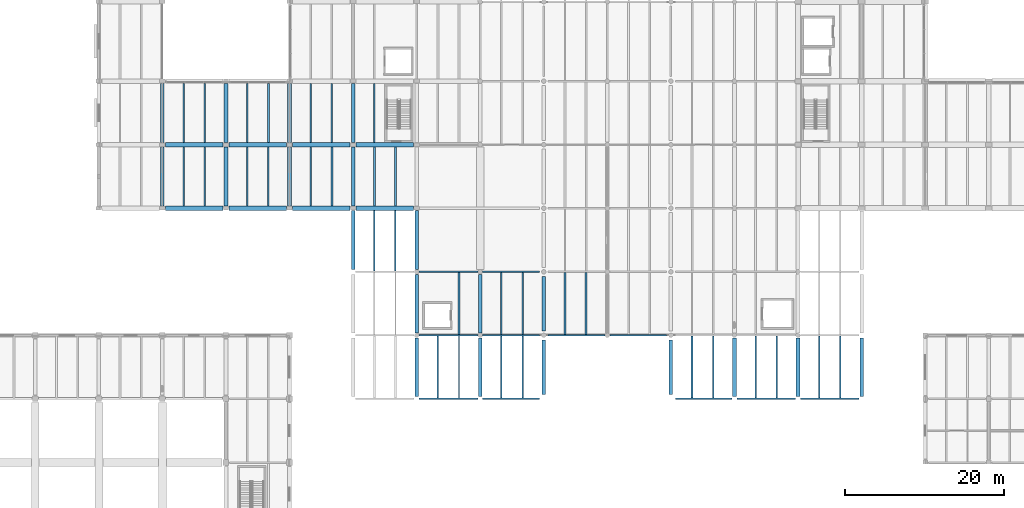
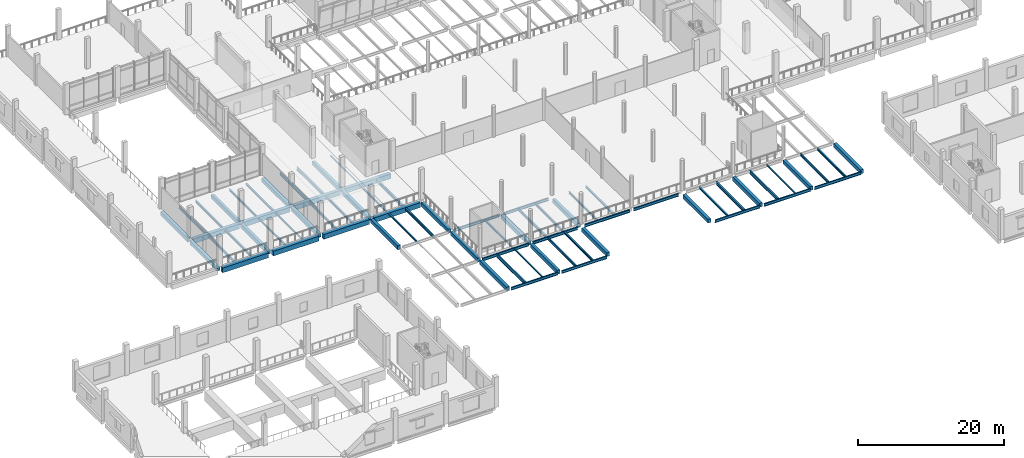
# One storey, part 5 of 61: 71 beams.
"""IFC4 building model written with IfcOpenShell, lengths in metres."""

from ifc_helpers import new_model, si_unit, direction, frame, origin, origin_2d, place, context, subcontext, project, spatial, rectangle, i_section, extrude, material, material_profile, profile_set, type_object, element, save


model = new_model("IFC4")

# Units and contexts
model_context = context("Model", 3, precision=1e-05, world=origin(), true_north=direction((0.0, 1.0)))
body_context = subcontext(model_context, "Body", "Model", "MODEL_VIEW")
ifc_project = project(units=[si_unit("LENGTHUNIT", "METRE"), si_unit("AREAUNIT", "SQUARE_METRE"), si_unit("VOLUMEUNIT", "CUBIC_METRE"), si_unit("PLANEANGLEUNIT", "RADIAN"), si_unit("MASSUNIT", "GRAM", prefix="KILO")], contexts=[model_context])

# Site, building, storey
site_placement = place(None, origin())
site = spatial("IfcSite", under=ifc_project, at=site_placement, CompositionType="ELEMENT")
building_placement = place(site_placement, origin())
building = spatial("IfcBuilding", under=site, at=building_placement, Name="Pecanmere Concourse Central Library", CompositionType="ELEMENT")
storey_placement = place(building_placement, frame((0.0, 0.0, 5.39990234375)))
storey = spatial("IfcBuildingStorey", under=building, at=storey_placement, Name="L02", CompositionType="ELEMENT", Elevation=5.39990234375)

# Beams
ifc_material_1 = material(Name="Concrete C40/50", Category="concrete")
ifc_material_profile_1 = material_profile(ifc_material_1, rectangle(XDim=0.4599609375, YDim=0.64990234375, at=origin_2d()), Name="RC 460x650")
ifc_profile_set_1 = profile_set([ifc_material_profile_1], Name="Concrete C40/50")
beam_type_1 = type_object("IfcBeamType", Name="GRD_460x650", PredefinedType="USERDEFINED", material=ifc_profile_set_1)
for number, where, z_axis, x_axis, name in (
    (1, (32.0, 48.27001953125, -0.69482421875), (0.0, 1.0, 0.0), (-1.0, 0.0, 0.0), "Primary Girder Y L02-0985"),
    (2, (32.0, 56.27001953125, -0.69482421875), (0.0, 1.0, 0.0), (-1.0, 0.0, 0.0), "Primary Girder Y L02-0986"),
    (3, (40.0, 48.27001953125, -0.69482421875), (0.0, 1.0, 0.0), (-1.0, 0.0, 0.0), "Primary Girder Y L02-0996"),
    (4, (40.0, 56.27001953125, -0.69482421875), (0.0, 1.0, 0.0), (-1.0, 0.0, 0.0), "Primary Girder Y L02-0997"),
    (5, (48.0, 48.27001953125, -0.69482421875), (0.0, 1.0, 0.0), (-1.0, 0.0, 0.0), "Primary Girder Y L02-1004"),
    (6, (48.0, 56.27001953125, -0.69482421875), (0.0, 1.0, 0.0), (-1.0, 0.0, 0.0), "Primary Girder Y L02-1005"),
):
    element("IfcBeam", number, at=place(storey_placement, frame(where, z_axis=z_axis, x_axis=x_axis)), inside=storey, type_object=beam_type_1, Name=name, ObjectType="GIRDER", PredefinedType="USERDEFINED", context=body_context, shape_type="SweptSolid", body=[
        extrude(rectangle(XDim=0.4599609375, YDim=0.64990234375, at=origin_2d()), origin(), (0.0, 0.0, 1.0), 7.4599609375),
    ])
beam_1_placement = place(storey_placement, frame((56.0, 40.31005859375, -0.69482421875), z_axis=(0.0, 1.0, 0.0), x_axis=(-1.0, 0.0, 0.0)))
element("IfcBeam", 7, at=beam_1_placement, inside=storey, type_object=beam_type_1, Name="Primary Girder Y L02-1013", ObjectType="GIRDER", PredefinedType="USERDEFINED", context=body_context, shape_type="SweptSolid", body=[
    extrude(rectangle(XDim=0.4599609375, YDim=0.64990234375, at=origin_2d()), origin(), (0.0, 0.0, 1.0), 7.419921875),
])
for number, where, z_axis, x_axis, name in (
    (8, (56.0, 48.27001953125, -0.69482421875), (0.0, 1.0, 0.0), (-1.0, 0.0, 0.0), "Primary Girder Y L02-1014"),
    (9, (56.0, 56.27001953125, -0.69482421875), (0.0, 1.0, 0.0), (-1.0, 0.0, 0.0), "Primary Girder Y L02-1015"),
):
    element("IfcBeam", number, at=place(storey_placement, frame(where, z_axis=z_axis, x_axis=x_axis)), inside=storey, type_object=beam_type_1, Name=name, ObjectType="GIRDER", PredefinedType="USERDEFINED", context=body_context, shape_type="SweptSolid", body=[
        extrude(rectangle(XDim=0.4599609375, YDim=0.64990234375, at=origin_2d()), origin(), (0.0, 0.0, 1.0), 7.4599609375),
    ])
for number, where, z_axis, x_axis, name in (
    (10, (64.0, 24.31005859375, -0.69482421875), (0.0, 1.0, 0.0), (-1.0, 0.0, 0.0), "Primary Girder Y L02-1021"),
    (11, (64.0, 32.31005859375, -0.69482421875), (0.0, 1.0, 0.0), (-1.0, 0.0, 0.0), "Primary Girder Y L02-1022"),
):
    element("IfcBeam", number, at=place(storey_placement, frame(where, z_axis=z_axis, x_axis=x_axis)), inside=storey, type_object=beam_type_1, Name=name, ObjectType="GIRDER", PredefinedType="USERDEFINED", context=body_context, shape_type="SweptSolid", body=[
        extrude(rectangle(XDim=0.4599609375, YDim=0.64990234375, at=origin_2d()), origin(), (0.0, 0.0, 1.0), 7.3798828125),
    ])
beam_2_placement = place(storey_placement, frame((64.0, 40.31005859375, -0.69482421875), z_axis=(0.0, 1.0, 0.0), x_axis=(-1.0, 0.0, 0.0)))
element("IfcBeam", 12, at=beam_2_placement, inside=storey, type_object=beam_type_1, Name="Primary Girder Y L02-1023", ObjectType="GIRDER", PredefinedType="USERDEFINED", context=body_context, shape_type="SweptSolid", body=[
    extrude(rectangle(XDim=0.4599609375, YDim=0.64990234375, at=origin_2d()), origin(), (0.0, 0.0, 1.0), 7.419921875),
])
for number, where, z_axis, x_axis, name in (
    (13, (72.0, 24.31005859375, -0.69482421875), (0.0, 1.0, 0.0), (-1.0, 0.0, 0.0), "Primary Girder Y L02-1031"),
    (14, (72.0, 32.31005859375, -0.69482421875), (0.0, 1.0, 0.0), (-1.0, 0.0, 0.0), "Primary Girder Y L02-1032"),
):
    element("IfcBeam", number, at=place(storey_placement, frame(where, z_axis=z_axis, x_axis=x_axis)), inside=storey, type_object=beam_type_1, Name=name, ObjectType="GIRDER", PredefinedType="USERDEFINED", context=body_context, shape_type="SweptSolid", body=[
        extrude(rectangle(XDim=0.4599609375, YDim=0.64990234375, at=origin_2d()), origin(), (0.0, 0.0, 1.0), 7.3798828125),
    ])
for number, where, z_axis, x_axis, name in (
    (15, (80.0, 24.56005859375, -0.69482421875), (0.0, 1.0, 0.0), (-1.0, 0.0, 0.0), "Primary Girder Y L02-1042"),
    (16, (80.0, 32.56005859375, -0.69482421875), (0.0, 1.0, 0.0), (-1.0, 0.0, 0.0), "Primary Girder Y L02-1043"),
    (17, (96.0, 24.56005859375, -0.69482421875), (0.0, 1.0, 0.0), (-1.0, 0.0, 0.0), "Primary Girder Y L02-1062"),
):
    element("IfcBeam", number, at=place(storey_placement, frame(where, z_axis=z_axis, x_axis=x_axis)), inside=storey, type_object=beam_type_1, Name=name, ObjectType="GIRDER", PredefinedType="USERDEFINED", context=body_context, shape_type="SweptSolid", body=[
        extrude(rectangle(XDim=0.4599609375, YDim=0.64990234375, at=origin_2d()), origin(), (0.0, 0.0, 1.0), 6.8798828125),
    ])
for number, where, z_axis, x_axis, name in (
    (18, (104.0, 24.31005859375, -0.69482421875), (0.0, 1.0, 0.0), (-1.0, 0.0, 0.0), "Primary Girder Y L02-1074"),
    (19, (112.0, 24.31005859375, -0.69482421875), (0.0, 1.0, 0.0), (-1.0, 0.0, 0.0), "Primary Girder Y L02-1086"),
    (20, (120.0, 24.31005859375, -0.69482421875), (0.0, 1.0, 0.0), (-1.0, 0.0, 0.0), "Primary Girder Y L02-1096"),
):
    element("IfcBeam", number, at=place(storey_placement, frame(where, z_axis=z_axis, x_axis=x_axis)), inside=storey, type_object=beam_type_1, Name=name, ObjectType="GIRDER", PredefinedType="USERDEFINED", context=body_context, shape_type="SweptSolid", body=[
        extrude(rectangle(XDim=0.4599609375, YDim=0.64990234375, at=origin_2d()), origin(), (0.0, 0.0, 1.0), 7.3798828125),
    ])
ifc_material_2 = material(Name="Concrete C40/50", Category="concrete")
ifc_material_profile_2 = material_profile(ifc_material_2, rectangle(XDim=0.5400390625, YDim=0.800048828125, at=origin_2d()), Name="RC 540x800")
ifc_profile_set_2 = profile_set([ifc_material_profile_2], Name="Concrete C40/50")
beam_type_2 = type_object("IfcBeamType", Name="GRD_540x800", PredefinedType="USERDEFINED", material=ifc_profile_set_2)
for number, where, z_axis, x_axis, name in (
    (21, (32.3701171875, 48.0, -0.77001953125), (1.0, 0.0, 0.0), (0.0, 1.0, 0.0), "Primary Girder X L02-0839"),
    (22, (40.3701171875, 48.0, -0.77001953125), (1.0, 0.0, 0.0), (0.0, 1.0, 0.0), "Primary Girder X L02-0840"),
    (23, (48.3701171875, 48.0, -0.77001953125), (1.0, 0.0, 0.0), (0.0, 1.0, 0.0), "Primary Girder X L02-0841"),
    (24, (56.3701171875, 48.0, -0.77001953125), (1.0, 0.0, 0.0), (0.0, 1.0, 0.0), "Primary Girder X L02-0842"),
    (25, (32.3701171875, 56.0, -0.77001953125), (1.0, 0.0, 0.0), (0.0, 1.0, 0.0), "Primary Girder X L02-0854"),
    (26, (40.3701171875, 56.0, -0.77001953125), (1.0, 0.0, 0.0), (0.0, 1.0, 0.0), "Primary Girder X L02-0855"),
    (27, (48.3701171875, 56.0, -0.77001953125), (1.0, 0.0, 0.0), (0.0, 1.0, 0.0), "Primary Girder X L02-0856"),
    (28, (56.3701171875, 56.0, -0.77001953125), (1.0, 0.0, 0.0), (0.0, 1.0, 0.0), "Primary Girder X L02-0857"),
):
    element("IfcBeam", number, at=place(storey_placement, frame(where, z_axis=z_axis, x_axis=x_axis)), inside=storey, type_object=beam_type_2, Name=name, ObjectType="GIRDER", PredefinedType="USERDEFINED", context=body_context, shape_type="SweptSolid", body=[
        extrude(rectangle(XDim=0.5400390625, YDim=0.800048828125, at=origin_2d()), origin(), (0.0, 0.0, 1.0), 7.259765625),
    ])
ifc_material_3 = material(Name="Structural steel ASTM A992 Grade 50", Category="steel")
ifc_material_profile_3 = material_profile(ifc_material_3, i_section(OverallWidth=0.152099609375, OverallDepth=0.152099609375, WebThickness=0.005859375, FlangeThickness=0.006591796875, at=origin_2d()), Name="W150x22.5")
ifc_profile_set_3 = profile_set([ifc_material_profile_3], Name="Structural steel ASTM A992 Grade 50")
beam_type_3 = type_object("IfcBeamType", Name="SBM_W150x22", PredefinedType="LINTEL", material=ifc_profile_set_3)
beam_3_placement = place(storey_placement, frame((58.666748046875, 56.27001953125, -0.44580078125), z_axis=(0.0, 1.0, 0.0), x_axis=(-1.0, 0.0, 0.0)))
element("IfcBeam", 29, at=beam_3_placement, inside=storey, type_object=beam_type_3, Name="Secondary Floor Joist L02-1251", PredefinedType="LINTEL", context=body_context, shape_type="SweptSolid", body=[
    extrude(i_section(OverallWidth=0.152099609375, OverallDepth=0.152099609375, WebThickness=0.005859375, FlangeThickness=0.006591796875, at=origin_2d()), origin(), (0.0, 0.0, 1.0), 7.4599609375),
])
ifc_material_4 = material(Name="Structural steel ASTM A992 Grade 50", Category="steel")
ifc_material_profile_4 = material_profile(ifc_material_4, i_section(OverallWidth=0.1650390625, OverallDepth=0.200927734375, WebThickness=0.006103515625, FlangeThickness=0.01025390625, at=origin_2d()), Name="W200x35.9")
ifc_profile_set_4 = profile_set([ifc_material_profile_4], Name="Structural steel ASTM A992 Grade 50")
beam_type_4 = type_object("IfcBeamType", Name="SBM_W200x36", PredefinedType="LINTEL", material=ifc_profile_set_4)
for number, where, z_axis, x_axis, name in (
    (30, (69.333251953125, 24.096923828125, -0.470458984375), (0.0, 1.0, 0.0), (-1.0, 0.0, 0.0), "Secondary Floor Joist L02-1262"),
    (31, (109.333251953125, 24.096923828125, -0.470458984375), (0.0, 1.0, 0.0), (-1.0, 0.0, 0.0), "Secondary Floor Joist L02-1347"),
):
    element("IfcBeam", number, at=place(storey_placement, frame(where, z_axis=z_axis, x_axis=x_axis)), inside=storey, type_object=beam_type_4, Name=name, PredefinedType="LINTEL", context=body_context, shape_type="SweptSolid", body=[
        extrude(i_section(OverallWidth=0.1650390625, OverallDepth=0.200927734375, WebThickness=0.006103515625, FlangeThickness=0.01025390625, at=origin_2d()), origin(), (0.0, 0.0, 1.0), 7.80615234375),
    ])
ifc_material_5 = material(Name="Structural steel ASTM A992 Grade 50", Category="steel")
ifc_material_profile_5 = material_profile(ifc_material_5, i_section(OverallWidth=0.2041015625, OverallDepth=0.2060546875, WebThickness=0.0078125, FlangeThickness=0.0126953125, at=origin_2d()), Name="W200x52")
ifc_profile_set_5 = profile_set([ifc_material_profile_5], Name="Structural steel ASTM A992 Grade 50")
beam_type_5 = type_object("IfcBeamType", Name="SBM_W200x52", PredefinedType="JOIST", material=ifc_profile_set_5)
beam_4_placement = place(storey_placement, frame((45.333251953125, 48.27001953125, -0.472900390625), z_axis=(0.0, 1.0, 0.0), x_axis=(-1.0, 0.0, 0.0)))
element("IfcBeam", 32, at=beam_4_placement, inside=storey, type_object=beam_type_5, Name="Secondary Floor Joist L02-1222", PredefinedType="JOIST", context=body_context, shape_type="SweptSolid", body=[
    extrude(i_section(OverallWidth=0.2041015625, OverallDepth=0.2060546875, WebThickness=0.0078125, FlangeThickness=0.0126953125, at=origin_2d()), origin(), (0.0, 0.0, 1.0), 7.4599609375),
])
beam_5_placement = place(storey_placement, frame((58.666748046875, 40.096923828125, -0.472900390625), z_axis=(0.0, 1.0, 0.0), x_axis=(-1.0, 0.0, 0.0)))
element("IfcBeam", 33, at=beam_5_placement, inside=storey, type_object=beam_type_5, Name="Secondary Floor Joist L02-1247", PredefinedType="JOIST", context=body_context, shape_type="SweptSolid", body=[
    extrude(i_section(OverallWidth=0.2041015625, OverallDepth=0.2060546875, WebThickness=0.0078125, FlangeThickness=0.0126953125, at=origin_2d()), origin(), (0.0, 0.0, 1.0), 7.633056640625),
])
ifc_material_6 = material(Name="Structural steel ASTM A992 Grade 50", Category="steel")
ifc_material_profile_6 = material_profile(ifc_material_6, i_section(OverallWidth=0.201904296875, OverallDepth=0.2470703125, WebThickness=0.00732421875, FlangeThickness=0.010986328125, at=origin_2d()), Name="W250x49.1")
ifc_profile_set_6 = profile_set([ifc_material_profile_6], Name="Structural steel ASTM A992 Grade 50")
beam_type_6 = type_object("IfcBeamType", Name="SBM_W250x49", PredefinedType="JOIST", material=ifc_profile_set_6)
beam_6_placement = place(storey_placement, frame((42.666748046875, 48.27001953125, -0.493408203125), z_axis=(0.0, 1.0, 0.0), x_axis=(-1.0, 0.0, 0.0)))
element("IfcBeam", 34, at=beam_6_placement, inside=storey, type_object=beam_type_6, Name="Secondary Floor Joist L02-1221", PredefinedType="JOIST", context=body_context, shape_type="SweptSolid", body=[
    extrude(i_section(OverallWidth=0.201904296875, OverallDepth=0.2470703125, WebThickness=0.00732421875, FlangeThickness=0.010986328125, at=origin_2d()), origin(), (0.0, 0.0, 1.0), 7.4599609375),
])
beam_7_placement = place(storey_placement, frame((69.333251953125, 32.096923828125, -0.493408203125), z_axis=(0.0, 1.0, 0.0), x_axis=(-1.0, 0.0, 0.0)))
element("IfcBeam", 35, at=beam_7_placement, inside=storey, type_object=beam_type_6, Name="Secondary Floor Joist L02-1263", PredefinedType="JOIST", context=body_context, shape_type="SweptSolid", body=[
    extrude(i_section(OverallWidth=0.201904296875, OverallDepth=0.2470703125, WebThickness=0.00732421875, FlangeThickness=0.010986328125, at=origin_2d()), origin(), (0.0, 0.0, 1.0), 7.80615234375),
])
ifc_material_7 = material(Name="Structural steel ASTM A992 Grade 50", Category="steel")
ifc_material_profile_7 = material_profile(ifc_material_7, i_section(OverallWidth=0.25390625, OverallDepth=0.2529296875, WebThickness=0.008544921875, FlangeThickness=0.01416015625, at=origin_2d()), Name="W250x73")
ifc_profile_set_7 = profile_set([ifc_material_profile_7], Name="Structural steel ASTM A992 Grade 50")
beam_type_7 = type_object("IfcBeamType", Name="SBM_W250x73", PredefinedType="BEAM", material=ifc_profile_set_7)
for number, where, z_axis, x_axis, name in (
    (36, (45.333251953125, 56.27001953125, -0.496337890625), (0.0, 1.0, 0.0), (-1.0, 0.0, 0.0), "Secondary Floor Joist L02-1224"),
    (37, (58.666748046875, 48.27001953125, -0.496337890625), (0.0, 1.0, 0.0), (-1.0, 0.0, 0.0), "Secondary Floor Joist L02-1249"),
):
    element("IfcBeam", number, at=place(storey_placement, frame(where, z_axis=z_axis, x_axis=x_axis)), inside=storey, type_object=beam_type_7, Name=name, PredefinedType="BEAM", context=body_context, shape_type="SweptSolid", body=[
        extrude(i_section(OverallWidth=0.25390625, OverallDepth=0.2529296875, WebThickness=0.008544921875, FlangeThickness=0.01416015625, at=origin_2d()), origin(), (0.0, 0.0, 1.0), 7.4599609375),
    ])
for number, where, z_axis, x_axis, name in (
    (38, (85.333251953125, 32.096923828125, -0.496337890625), (0.0, 1.0, 0.0), (-1.0, 0.0, 0.0), "Secondary Floor Joist L02-1292"),
    (39, (98.666748046875, 24.096923828125, -0.496337890625), (0.0, 1.0, 0.0), (-1.0, 0.0, 0.0), "Secondary Floor Joist L02-1325"),
):
    element("IfcBeam", number, at=place(storey_placement, frame(where, z_axis=z_axis, x_axis=x_axis)), inside=storey, type_object=beam_type_7, Name=name, PredefinedType="BEAM", context=body_context, shape_type="SweptSolid", body=[
        extrude(i_section(OverallWidth=0.25390625, OverallDepth=0.2529296875, WebThickness=0.008544921875, FlangeThickness=0.01416015625, at=origin_2d()), origin(), (0.0, 0.0, 1.0), 7.80615234375),
    ])
ifc_material_8 = material(Name="Structural steel ASTM A992 Grade 50", Category="steel")
ifc_material_profile_8 = material_profile(ifc_material_8, i_section(OverallWidth=0.205078125, OverallDepth=0.31005859375, WebThickness=0.009521484375, FlangeThickness=0.016357421875, at=origin_2d()), Name="W310x74")
ifc_profile_set_8 = profile_set([ifc_material_profile_8], Name="Structural steel ASTM A992 Grade 50")
beam_type_8 = type_object("IfcBeamType", Name="SBM_W310x74", PredefinedType="BEAM", material=ifc_profile_set_8)
beam_8_placement = place(storey_placement, frame((42.666748046875, 56.27001953125, -0.52490234375), z_axis=(0.0, 1.0, 0.0), x_axis=(-1.0, 0.0, 0.0)))
element("IfcBeam", 40, at=beam_8_placement, inside=storey, type_object=beam_type_8, Name="Secondary Floor Joist L02-1223", PredefinedType="BEAM", context=body_context, shape_type="SweptSolid", body=[
    extrude(i_section(OverallWidth=0.205078125, OverallDepth=0.31005859375, WebThickness=0.009521484375, FlangeThickness=0.016357421875, at=origin_2d()), origin(), (0.0, 0.0, 1.0), 7.4599609375),
])
beam_9_placement = place(storey_placement, frame((82.666748046875, 32.096923828125, -0.52490234375), z_axis=(0.0, 1.0, 0.0), x_axis=(-1.0, 0.0, 0.0)))
element("IfcBeam", 41, at=beam_9_placement, inside=storey, type_object=beam_type_8, Name="Secondary Floor Joist L02-1291", PredefinedType="BEAM", context=body_context, shape_type="SweptSolid", body=[
    extrude(i_section(OverallWidth=0.205078125, OverallDepth=0.31005859375, WebThickness=0.009521484375, FlangeThickness=0.016357421875, at=origin_2d()), origin(), (0.0, 0.0, 1.0), 7.80615234375),
])
ifc_material_9 = material(Name="Structural steel ASTM A992 Grade 50", Category="steel")
ifc_material_profile_9 = material_profile(ifc_material_9, i_section(OverallWidth=0.202880859375, OverallDepth=0.346923828125, WebThickness=0.0078125, FlangeThickness=0.013427734375, at=origin_2d()), Name="W360x64")
ifc_profile_set_9 = profile_set([ifc_material_profile_9], Name="Structural steel ASTM A992 Grade 50")
beam_type_9 = type_object("IfcBeamType", Name="SBM_W360x64", PredefinedType="JOIST", material=ifc_profile_set_9)
beam_10_placement = place(storey_placement, frame((37.333251953125, 48.27001953125, -0.54345703125), z_axis=(0.0, 1.0, 0.0), x_axis=(-1.0, 0.0, 0.0)))
element("IfcBeam", 42, at=beam_10_placement, inside=storey, type_object=beam_type_9, Name="Secondary Floor Joist L02-1207", PredefinedType="JOIST", context=body_context, shape_type="SweptSolid", body=[
    extrude(i_section(OverallWidth=0.202880859375, OverallDepth=0.346923828125, WebThickness=0.0078125, FlangeThickness=0.013427734375, at=origin_2d()), origin(), (0.0, 0.0, 1.0), 7.4599609375),
])
for number, where, z_axis, x_axis, name in (
    (43, (77.333251953125, 24.096923828125, -0.54345703125), (0.0, 1.0, 0.0), (-1.0, 0.0, 0.0), "Secondary Floor Joist L02-1275"),
    (44, (117.333251953125, 24.096923828125, -0.54345703125), (0.0, 1.0, 0.0), (-1.0, 0.0, 0.0), "Secondary Floor Joist L02-1364"),
):
    element("IfcBeam", number, at=place(storey_placement, frame(where, z_axis=z_axis, x_axis=x_axis)), inside=storey, type_object=beam_type_9, Name=name, PredefinedType="JOIST", context=body_context, shape_type="SweptSolid", body=[
        extrude(i_section(OverallWidth=0.202880859375, OverallDepth=0.346923828125, WebThickness=0.0078125, FlangeThickness=0.013427734375, at=origin_2d()), origin(), (0.0, 0.0, 1.0), 7.80615234375),
    ])
ifc_material_10 = material(Name="Structural steel ASTM A992 Grade 50", Category="steel")
ifc_material_profile_10 = material_profile(ifc_material_10, i_section(OverallWidth=0.25390625, OverallDepth=0.35302734375, WebThickness=0.009521484375, FlangeThickness=0.016357421875, at=origin_2d()), Name="W360x91")
ifc_profile_set_10 = profile_set([ifc_material_profile_10], Name="Structural steel ASTM A992 Grade 50")
beam_type_10 = type_object("IfcBeamType", Name="SBM_W360x91", PredefinedType="BEAM", material=ifc_profile_set_10)
beam_11_placement = place(storey_placement, frame((53.333251953125, 48.27001953125, -0.54638671875), z_axis=(0.0, 1.0, 0.0), x_axis=(-1.0, 0.0, 0.0)))
element("IfcBeam", 45, at=beam_11_placement, inside=storey, type_object=beam_type_10, Name="Secondary Floor Joist L02-1230", PredefinedType="BEAM", context=body_context, shape_type="SweptSolid", body=[
    extrude(i_section(OverallWidth=0.25390625, OverallDepth=0.35302734375, WebThickness=0.009521484375, FlangeThickness=0.016357421875, at=origin_2d()), origin(), (0.0, 0.0, 1.0), 7.4599609375),
])
ifc_material_11 = material(Name="Structural steel ASTM A992 Grade 50", Category="steel")
ifc_material_profile_11 = material_profile(ifc_material_11, i_section(OverallWidth=0.177978515625, OverallDepth=0.406982421875, WebThickness=0.0078125, FlangeThickness=0.0126953125, at=origin_2d()), Name="W410x60")
ifc_profile_set_11 = profile_set([ifc_material_profile_11], Name="Structural steel ASTM A992 Grade 50")
beam_type_11 = type_object("IfcBeamType", Name="SBM_W410x60", PredefinedType="JOIST", material=ifc_profile_set_11)
beam_12_placement = place(storey_placement, frame((34.666748046875, 48.27001953125, -0.573486328125), z_axis=(0.0, 1.0, 0.0), x_axis=(-1.0, 0.0, 0.0)))
element("IfcBeam", 46, at=beam_12_placement, inside=storey, type_object=beam_type_11, Name="Secondary Floor Joist L02-1206", PredefinedType="JOIST", context=body_context, shape_type="SweptSolid", body=[
    extrude(i_section(OverallWidth=0.177978515625, OverallDepth=0.406982421875, WebThickness=0.0078125, FlangeThickness=0.0126953125, at=origin_2d()), origin(), (0.0, 0.0, 1.0), 7.4599609375),
])
for number, where, z_axis, x_axis, name in (
    (47, (74.666748046875, 24.096923828125, -0.573486328125), (0.0, 1.0, 0.0), (-1.0, 0.0, 0.0), "Secondary Floor Joist L02-1274"),
    (48, (114.666748046875, 24.096923828125, -0.573486328125), (0.0, 1.0, 0.0), (-1.0, 0.0, 0.0), "Secondary Floor Joist L02-1363"),
):
    element("IfcBeam", number, at=place(storey_placement, frame(where, z_axis=z_axis, x_axis=x_axis)), inside=storey, type_object=beam_type_11, Name=name, PredefinedType="JOIST", context=body_context, shape_type="SweptSolid", body=[
        extrude(i_section(OverallWidth=0.177978515625, OverallDepth=0.406982421875, WebThickness=0.0078125, FlangeThickness=0.0126953125, at=origin_2d()), origin(), (0.0, 0.0, 1.0), 7.80615234375),
    ])
ifc_material_12 = material(Name="Structural steel ASTM A992 Grade 50", Category="steel")
ifc_material_profile_12 = material_profile(ifc_material_12, i_section(OverallWidth=0.180908203125, OverallDepth=0.4169921875, WebThickness=0.010986328125, FlangeThickness=0.018310546875, at=origin_2d()), Name="W410x85")
ifc_profile_set_12 = profile_set([ifc_material_profile_12], Name="Structural steel ASTM A992 Grade 50")
beam_type_12 = type_object("IfcBeamType", Name="SBM_W410x85", PredefinedType="BEAM", material=ifc_profile_set_12)
for number, where, z_axis, x_axis, name in (
    (49, (37.333251953125, 56.27001953125, -0.578369140625), (0.0, 1.0, 0.0), (-1.0, 0.0, 0.0), "Secondary Floor Joist L02-1209"),
    (50, (50.666748046875, 48.27001953125, -0.578369140625), (0.0, 1.0, 0.0), (-1.0, 0.0, 0.0), "Secondary Floor Joist L02-1229"),
):
    element("IfcBeam", number, at=place(storey_placement, frame(where, z_axis=z_axis, x_axis=x_axis)), inside=storey, type_object=beam_type_12, Name=name, PredefinedType="BEAM", context=body_context, shape_type="SweptSolid", body=[
        extrude(i_section(OverallWidth=0.180908203125, OverallDepth=0.4169921875, WebThickness=0.010986328125, FlangeThickness=0.018310546875, at=origin_2d()), origin(), (0.0, 0.0, 1.0), 7.4599609375),
    ])
beam_13_placement = place(storey_placement, frame((77.333251953125, 32.096923828125, -0.578369140625), z_axis=(0.0, 1.0, 0.0), x_axis=(-1.0, 0.0, 0.0)))
element("IfcBeam", 51, at=beam_13_placement, inside=storey, type_object=beam_type_12, Name="Secondary Floor Joist L02-1277", PredefinedType="BEAM", context=body_context, shape_type="SweptSolid", body=[
    extrude(i_section(OverallWidth=0.180908203125, OverallDepth=0.4169921875, WebThickness=0.010986328125, FlangeThickness=0.018310546875, at=origin_2d()), origin(), (0.0, 0.0, 1.0), 7.80615234375),
])
ifc_material_13 = material(Name="Structural steel ASTM A992 Grade 50", Category="steel")
ifc_material_profile_13 = material_profile(ifc_material_13, i_section(OverallWidth=0.194091796875, OverallDepth=0.468994140625, WebThickness=0.0126953125, FlangeThickness=0.0205078125, at=origin_2d()), Name="W460x106")
ifc_profile_set_13 = profile_set([ifc_material_profile_13], Name="Structural steel ASTM A992 Grade 50")
beam_type_13 = type_object("IfcBeamType", Name="SBM_W460x106", PredefinedType="USERDEFINED", material=ifc_profile_set_13)
beam_14_placement = place(storey_placement, frame((64.31005859375, 24.0, -0.6044921875), z_axis=(1.0, 0.0, 0.0), x_axis=(0.0, 1.0, 0.0)))
element("IfcBeam", 52, at=beam_14_placement, inside=storey, type_object=beam_type_13, Name="Primary Girder X L02-0799", ObjectType="GIRDER", PredefinedType="USERDEFINED", context=body_context, shape_type="SweptSolid", body=[
    extrude(i_section(OverallWidth=0.194091796875, OverallDepth=0.468994140625, WebThickness=0.0126953125, FlangeThickness=0.0205078125, at=origin_2d()), origin(), (0.0, 0.0, 1.0), 7.3798828125),
])
for number, where, z_axis, x_axis, name in (
    (53, (72.31005859375, 24.0, -0.6044921875), (1.0, 0.0, 0.0), (0.0, 1.0, 0.0), "Primary Girder X L02-0800"),
    (54, (96.56005859375, 24.0, -0.6044921875), (1.0, 0.0, 0.0), (0.0, 1.0, 0.0), "Primary Girder X L02-0801"),
):
    element("IfcBeam", number, at=place(storey_placement, frame(where, z_axis=z_axis, x_axis=x_axis)), inside=storey, type_object=beam_type_13, Name=name, ObjectType="GIRDER", PredefinedType="USERDEFINED", context=body_context, shape_type="SweptSolid", body=[
        extrude(i_section(OverallWidth=0.194091796875, OverallDepth=0.468994140625, WebThickness=0.0126953125, FlangeThickness=0.0205078125, at=origin_2d()), origin(), (0.0, 0.0, 1.0), 7.1298828125),
    ])
for number, where, z_axis, x_axis, name in (
    (55, (104.31005859375, 24.0, -0.6044921875), (1.0, 0.0, 0.0), (0.0, 1.0, 0.0), "Primary Girder X L02-0802"),
    (56, (112.31005859375, 24.0, -0.6044921875), (1.0, 0.0, 0.0), (0.0, 1.0, 0.0), "Primary Girder X L02-0803"),
    (57, (64.31005859375, 32.0, -0.6044921875), (1.0, 0.0, 0.0), (0.0, 1.0, 0.0), "Primary Girder X L02-0817"),
):
    element("IfcBeam", number, at=place(storey_placement, frame(where, z_axis=z_axis, x_axis=x_axis)), inside=storey, type_object=beam_type_13, Name=name, ObjectType="GIRDER", PredefinedType="USERDEFINED", context=body_context, shape_type="SweptSolid", body=[
        extrude(i_section(OverallWidth=0.194091796875, OverallDepth=0.468994140625, WebThickness=0.0126953125, FlangeThickness=0.0205078125, at=origin_2d()), origin(), (0.0, 0.0, 1.0), 7.3798828125),
    ])
for number, where, z_axis, x_axis, name in (
    (58, (72.31005859375, 32.0, -0.6044921875), (1.0, 0.0, 0.0), (0.0, 1.0, 0.0), "Primary Girder X L02-0818"),
    (59, (80.56005859375, 32.0, -0.6044921875), (1.0, 0.0, 0.0), (0.0, 1.0, 0.0), "Primary Girder X L02-0819"),
    (60, (88.31005859375, 32.0, -0.6044921875), (1.0, 0.0, 0.0), (0.0, 1.0, 0.0), "Primary Girder X L02-0820"),
):
    element("IfcBeam", number, at=place(storey_placement, frame(where, z_axis=z_axis, x_axis=x_axis)), inside=storey, type_object=beam_type_13, Name=name, ObjectType="GIRDER", PredefinedType="USERDEFINED", context=body_context, shape_type="SweptSolid", body=[
        extrude(i_section(OverallWidth=0.194091796875, OverallDepth=0.468994140625, WebThickness=0.0126953125, FlangeThickness=0.0205078125, at=origin_2d()), origin(), (0.0, 0.0, 1.0), 7.1298828125),
    ])
beam_15_placement = place(storey_placement, frame((64.31005859375, 40.0, -0.6044921875), z_axis=(1.0, 0.0, 0.0), x_axis=(0.0, 1.0, 0.0)))
element("IfcBeam", 61, at=beam_15_placement, inside=storey, type_object=beam_type_13, Name="Primary Girder X L02-0831", ObjectType="GIRDER", PredefinedType="USERDEFINED", context=body_context, shape_type="SweptSolid", body=[
    extrude(i_section(OverallWidth=0.194091796875, OverallDepth=0.468994140625, WebThickness=0.0126953125, FlangeThickness=0.0205078125, at=origin_2d()), origin(), (0.0, 0.0, 1.0), 7.3798828125),
])
beam_16_placement = place(storey_placement, frame((72.31005859375, 40.0, -0.6044921875), z_axis=(1.0, 0.0, 0.0), x_axis=(0.0, 1.0, 0.0)))
element("IfcBeam", 62, at=beam_16_placement, inside=storey, type_object=beam_type_13, Name="Primary Girder X L02-0832", ObjectType="GIRDER", PredefinedType="USERDEFINED", context=body_context, shape_type="SweptSolid", body=[
    extrude(i_section(OverallWidth=0.194091796875, OverallDepth=0.468994140625, WebThickness=0.0126953125, FlangeThickness=0.0205078125, at=origin_2d()), origin(), (0.0, 0.0, 1.0), 7.1298828125),
])
beam_17_placement = place(storey_placement, frame((50.666748046875, 56.27001953125, -0.6044921875), z_axis=(0.0, 1.0, 0.0), x_axis=(-1.0, 0.0, 0.0)))
element("IfcBeam", 63, at=beam_17_placement, inside=storey, type_object=beam_type_13, Name="Secondary Floor Joist L02-1231", ObjectType="GIRDER", PredefinedType="USERDEFINED", context=body_context, shape_type="SweptSolid", body=[
    extrude(i_section(OverallWidth=0.194091796875, OverallDepth=0.468994140625, WebThickness=0.0126953125, FlangeThickness=0.0205078125, at=origin_2d()), origin(), (0.0, 0.0, 1.0), 7.4599609375),
])
ifc_material_14 = material(Name="Structural steel ASTM A992 Grade 50", Category="steel")
ifc_material_profile_14 = material_profile(ifc_material_14, i_section(OverallWidth=0.18994140625, OverallDepth=0.45703125, WebThickness=0.009033203125, FlangeThickness=0.014404296875, at=origin_2d()), Name="W460x74")
ifc_profile_set_14 = profile_set([ifc_material_profile_14], Name="Structural steel ASTM A992 Grade 50")
beam_type_14 = type_object("IfcBeamType", Name="SBM_W460x74", PredefinedType="BEAM", material=ifc_profile_set_14)
beam_18_placement = place(storey_placement, frame((34.666748046875, 56.27001953125, -0.598388671875), z_axis=(0.0, 1.0, 0.0), x_axis=(-1.0, 0.0, 0.0)))
element("IfcBeam", 64, at=beam_18_placement, inside=storey, type_object=beam_type_14, Name="Secondary Floor Joist L02-1208", PredefinedType="BEAM", context=body_context, shape_type="SweptSolid", body=[
    extrude(i_section(OverallWidth=0.18994140625, OverallDepth=0.45703125, WebThickness=0.009033203125, FlangeThickness=0.014404296875, at=origin_2d()), origin(), (0.0, 0.0, 1.0), 7.4599609375),
])
beam_19_placement = place(storey_placement, frame((61.333251953125, 40.096923828125, -0.598388671875), z_axis=(0.0, 1.0, 0.0), x_axis=(-1.0, 0.0, 0.0)))
element("IfcBeam", 65, at=beam_19_placement, inside=storey, type_object=beam_type_14, Name="Secondary Floor Joist L02-1248", PredefinedType="BEAM", context=body_context, shape_type="SweptSolid", body=[
    extrude(i_section(OverallWidth=0.18994140625, OverallDepth=0.45703125, WebThickness=0.009033203125, FlangeThickness=0.014404296875, at=origin_2d()), origin(), (0.0, 0.0, 1.0), 7.633056640625),
])
beam_20_placement = place(storey_placement, frame((74.666748046875, 32.096923828125, -0.598388671875), z_axis=(0.0, 1.0, 0.0), x_axis=(-1.0, 0.0, 0.0)))
element("IfcBeam", 66, at=beam_20_placement, inside=storey, type_object=beam_type_14, Name="Secondary Floor Joist L02-1276", PredefinedType="BEAM", context=body_context, shape_type="SweptSolid", body=[
    extrude(i_section(OverallWidth=0.18994140625, OverallDepth=0.45703125, WebThickness=0.009033203125, FlangeThickness=0.014404296875, at=origin_2d()), origin(), (0.0, 0.0, 1.0), 7.80615234375),
])
ifc_material_15 = material(Name="Structural steel ASTM A992 Grade 50", Category="steel")
ifc_material_profile_15 = material_profile(ifc_material_15, i_section(OverallWidth=0.2109375, OverallDepth=0.5390625, WebThickness=0.01171875, FlangeThickness=0.018798828125, at=origin_2d()), Name="W530x109")
ifc_profile_set_15 = profile_set([ifc_material_profile_15], Name="Structural steel ASTM A992 Grade 50")
beam_type_15 = type_object("IfcBeamType", Name="SBM_W530x109", PredefinedType="USERDEFINED", material=ifc_profile_set_15)
beam_21_placement = place(storey_placement, frame((53.333251953125, 56.27001953125, -0.639404296875), z_axis=(0.0, 1.0, 0.0), x_axis=(-1.0, 0.0, 0.0)))
element("IfcBeam", 67, at=beam_21_placement, inside=storey, type_object=beam_type_15, Name="Secondary Floor Joist L02-1232", ObjectType="GIRDER", PredefinedType="USERDEFINED", context=body_context, shape_type="SweptSolid", body=[
    extrude(i_section(OverallWidth=0.2109375, OverallDepth=0.5390625, WebThickness=0.01171875, FlangeThickness=0.018798828125, at=origin_2d()), origin(), (0.0, 0.0, 1.0), 7.4599609375),
])
for number, where, z_axis, x_axis, name in (
    (68, (66.666748046875, 24.096923828125, -0.639404296875), (0.0, 1.0, 0.0), (-1.0, 0.0, 0.0), "Secondary Floor Joist L02-1261"),
    (69, (106.666748046875, 24.096923828125, -0.639404296875), (0.0, 1.0, 0.0), (-1.0, 0.0, 0.0), "Secondary Floor Joist L02-1346"),
):
    element("IfcBeam", number, at=place(storey_placement, frame(where, z_axis=z_axis, x_axis=x_axis)), inside=storey, type_object=beam_type_15, Name=name, ObjectType="GIRDER", PredefinedType="USERDEFINED", context=body_context, shape_type="SweptSolid", body=[
        extrude(i_section(OverallWidth=0.2109375, OverallDepth=0.5390625, WebThickness=0.01171875, FlangeThickness=0.018798828125, at=origin_2d()), origin(), (0.0, 0.0, 1.0), 7.80615234375),
    ])
ifc_material_16 = material(Name="Structural steel ASTM A992 Grade 50", Category="steel")
ifc_material_profile_16 = material_profile(ifc_material_16, i_section(OverallWidth=0.208984375, OverallDepth=0.532958984375, WebThickness=0.01025390625, FlangeThickness=0.015625, at=origin_2d()), Name="W530x92")
ifc_profile_set_16 = profile_set([ifc_material_profile_16], Name="Structural steel ASTM A992 Grade 50")
beam_type_16 = type_object("IfcBeamType", Name="SBM_W530x92", PredefinedType="BEAM", material=ifc_profile_set_16)
beam_22_placement = place(storey_placement, frame((61.333251953125, 48.27001953125, -0.636474609375), z_axis=(0.0, 1.0, 0.0), x_axis=(-1.0, 0.0, 0.0)))
element("IfcBeam", 70, at=beam_22_placement, inside=storey, type_object=beam_type_16, Name="Secondary Floor Joist L02-1250", PredefinedType="BEAM", context=body_context, shape_type="SweptSolid", body=[
    extrude(i_section(OverallWidth=0.208984375, OverallDepth=0.532958984375, WebThickness=0.01025390625, FlangeThickness=0.015625, at=origin_2d()), origin(), (0.0, 0.0, 1.0), 7.4599609375),
])
beam_23_placement = place(storey_placement, frame((101.333251953125, 24.096923828125, -0.636474609375), z_axis=(0.0, 1.0, 0.0), x_axis=(-1.0, 0.0, 0.0)))
element("IfcBeam", 71, at=beam_23_placement, inside=storey, type_object=beam_type_16, Name="Secondary Floor Joist L02-1326", PredefinedType="BEAM", context=body_context, shape_type="SweptSolid", body=[
    extrude(i_section(OverallWidth=0.208984375, OverallDepth=0.532958984375, WebThickness=0.01025390625, FlangeThickness=0.015625, at=origin_2d()), origin(), (0.0, 0.0, 1.0), 7.80615234375),
])

save(model, "model.ifc")
